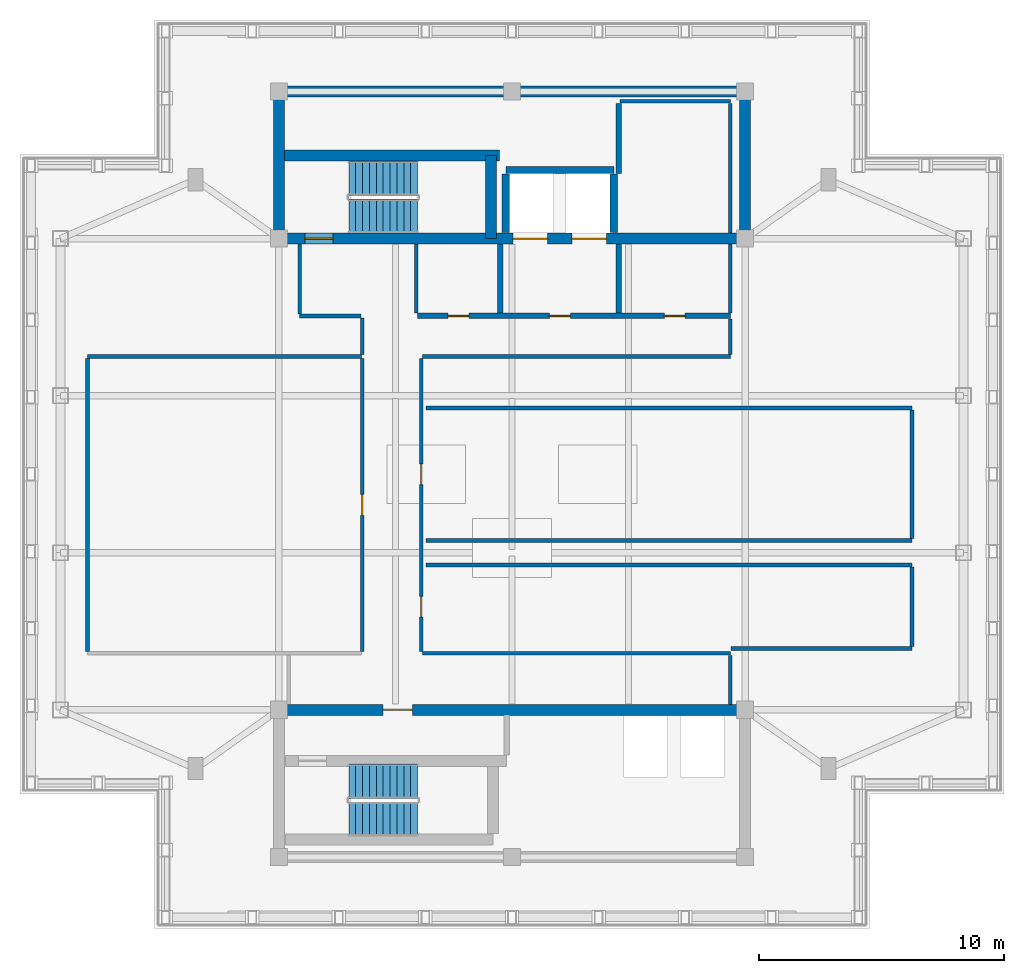
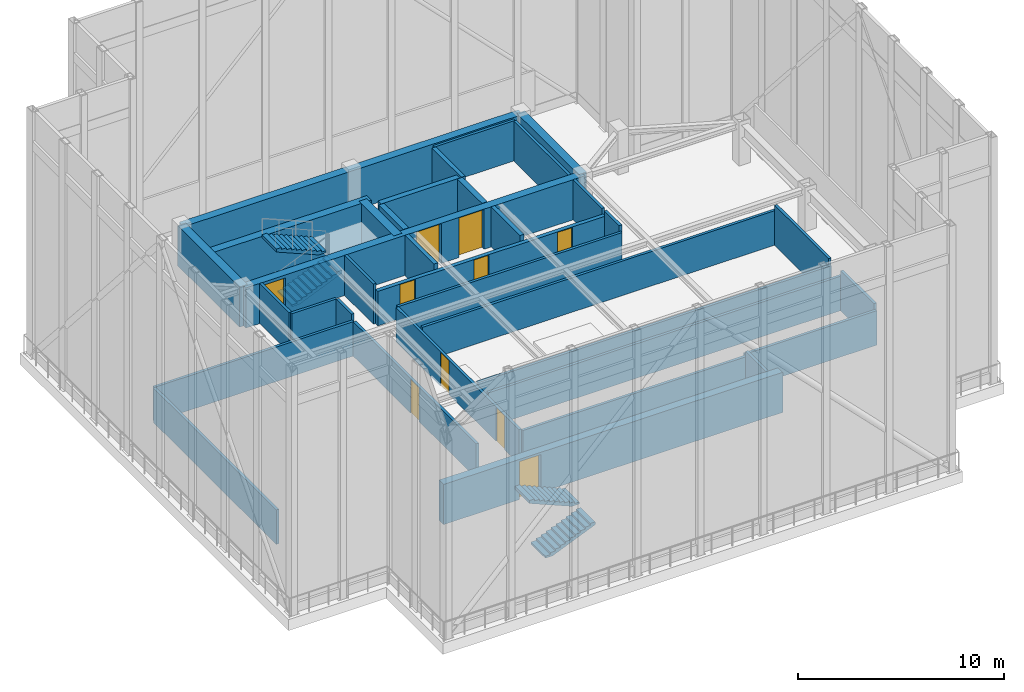
# One storey, part 4 of 8: 35 walls, 10 doors, 4 stair flights, 10 openings, 2 elements without a shape of their own.
"""IFC4 building model written with IfcOpenShell, lengths in metres."""

from ifc_helpers import new_model, si_unit, direction, frame, frame_2d, origin, place, context, subcontext, project, spatial, polyline, rectangle, outline, extrude, material, layer, layer_set, type_object, element, fill, aggregate, save


model = new_model("IFC4")

# Units and contexts
model_context = context("Model", 3, precision=1e-05, world=origin(), true_north=direction((0.0, 1.0)))
body_context = subcontext(model_context, "Body", "Model", "MODEL_VIEW")
ifc_project = project(units=[si_unit("LENGTHUNIT", "METRE"), si_unit("AREAUNIT", "SQUARE_METRE"), si_unit("VOLUMEUNIT", "CUBIC_METRE"), si_unit("PLANEANGLEUNIT", "RADIAN"), si_unit("MASSUNIT", "GRAM", prefix="KILO")], contexts=[model_context])

# Site, building, storey
site_placement = place(None, origin())
site = spatial("IfcSite", under=ifc_project, at=site_placement, CompositionType="ELEMENT")
building_placement = place(site_placement, origin())
building = spatial("IfcBuilding", under=site, at=building_placement, Name="Mirazonda Arch Towers", CompositionType="ELEMENT")
storey_placement = place(building_placement, frame((0.0, 0.0, 263.5)))
storey = spatial("IfcBuildingStorey", under=building, at=storey_placement, Name="L75", CompositionType="ELEMENT", Elevation=263.5)

# Walls
ifc_material_1 = material(Name="Concrete C50/60", Category="concrete")
ifc_layer_1 = layer(ifc_material_1, 0.449951171875, Name="WALL-CORE-450")
ifc_layer_set_1 = layer_set([ifc_layer_1], Name="Concrete C50/60")
wall_type_1 = type_object("IfcWallType", Name="WALL-CORE-450", PredefinedType="SHEAR", material=ifc_layer_set_1)
wall_1_placement = place(storey_placement, frame((11.0, 43.60009765625, 0.0), z_axis=(0.0, 0.0, 1.0), x_axis=(1.0, 0.0, 0.0)))
element("IfcWall", 1, at=wall_1_placement, inside=storey, type_object=wall_type_1, Name="L75 T1N-N Core Shear Wall", PredefinedType="SHEAR", context=body_context, shape_type="SweptSolid", body=[
    extrude(rectangle(XDim=19.0, YDim=0.449951171875, at=frame_2d((9.5, 0.0))), origin(), (0.0, 0.0, 1.0), 2.3798828125),
])
for number, where, z_axis, x_axis, name in (
    (2, (11.0, 37.60009765625, 0.0), (0.0, 0.0, 1.0), (0.0, 1.0, 0.0), "L75 T1N-W Core Shear Wall"),
    (3, (30.0, 37.60009765625, 0.0), (0.0, 0.0, 1.0), (0.0, 1.0, 0.0), "L75 T1N-E Core Shear Wall"),
):
    element("IfcWall", number, at=place(storey_placement, frame(where, z_axis=z_axis, x_axis=x_axis)), inside=storey, type_object=wall_type_1, Name=name, PredefinedType="SHEAR", context=body_context, shape_type="SweptSolid", body=[
        extrude(rectangle(XDim=6.0, YDim=0.449951171875, at=frame_2d((3.0, 0.0))), origin(), (0.0, 0.0, 1.0), 2.3798828125),
    ])

# Wall, openings, doors
wall_2_placement = place(storey_placement, frame((11.0, 37.60009765625, 0.0), z_axis=(0.0, 0.0, 1.0), x_axis=(1.0, 0.0, 0.0)))
wall_2 = element("IfcWall", 4, at=wall_2_placement, inside=storey, type_object=wall_type_1, Name="L75 T1N-S Core Shear Wall", PredefinedType="SHEAR", context=body_context, shape_type="SweptSolid", body=[
    extrude(rectangle(XDim=19.0, YDim=0.449951171875, at=frame_2d((9.5, 0.0))), origin(), (0.0, 0.0, 1.0), 2.3798828125),
])
opening_1_placement = place(wall_2_placement, frame((1.06005859375, 0.0, 0.0)))
opening_1 = element("IfcOpeningElement", 5, at=opening_1_placement, cuts=wall_2, Name="Opening DR-135", PredefinedType="OPENING", context=body_context, shape_type="SweptSolid", body=[
    extrude(rectangle(XDim=1.14990234375, YDim=2.199951171875, at=frame_2d((0.574951171875, 1.10009765625))), frame((0.0, 0.23486328125, 0.0), z_axis=(0.0, -1.0, 0.0), x_axis=(1.0, 0.0, 0.0)), (0.0, 0.0, 1.0), 0.469970703125),
])
opening_2_placement = place(wall_2_placement, frame((9.550048828125, 0.0, 0.0)))
opening_2 = element("IfcOpeningElement", 6, at=opening_2_placement, cuts=wall_2, Name="Opening LD-112", PredefinedType="OPENING", context=body_context, shape_type="SweptSolid", body=[
    extrude(rectangle(XDim=1.39990234375, YDim=2.35009765625, at=frame_2d((0.699951171875, 1.175048828125))), frame((0.0, 0.23486328125, 0.0), z_axis=(0.0, -1.0, 0.0), x_axis=(1.0, 0.0, 0.0)), (0.0, 0.0, 1.0), 0.469970703125),
])
opening_3_placement = place(wall_2_placement, frame((11.949951171875, 0.0, 0.0)))
opening_3 = element("IfcOpeningElement", 7, at=opening_3_placement, cuts=wall_2, Name="Opening LD-112", PredefinedType="OPENING", context=body_context, shape_type="SweptSolid", body=[
    extrude(rectangle(XDim=1.39990234375, YDim=2.35009765625, at=frame_2d((0.699951171875, 1.175048828125))), frame((0.0, 0.23486328125, 0.0), z_axis=(0.0, -1.0, 0.0), x_axis=(1.0, 0.0, 0.0)), (0.0, 0.0, 1.0), 0.469970703125),
])
ifc_material_2 = material(Name="Architectural Brushed Steel S355", Category="steel")
door_type_1 = type_object("IfcDoorType", Name="DOOR-LIFT-FFL-1400", OperationType="NOTDEFINED", PredefinedType="DOOR", material=ifc_material_2)
door_1_placement = place(opening_2_placement, origin())
door_1 = element("IfcDoor", 8, at=door_1_placement, inside=storey, type_object=door_type_1, Name="L75 Lift Landing Sliding Door FFL-T1", OperationType="DOUBLE_DOOR_SLIDING", OverallHeight=2.35009765625, OverallWidth=1.39990234375, PredefinedType="DOOR", context=body_context, shape_type="SweptSolid", body=[
    extrude(rectangle(XDim=1.39990234375, YDim=2.35009765625, at=frame_2d((0.699951171875, 1.175048828125))), frame((0.0, 0.02490234375, 0.0), z_axis=(0.0, -1.0, 0.0), x_axis=(1.0, 0.0, 0.0)), (0.0, 0.0, 1.0), 0.050048828125),
])
fill(opening_2, door_1)
door_2_placement = place(opening_3_placement, origin())
door_2 = element("IfcDoor", 9, at=door_2_placement, inside=storey, type_object=door_type_1, Name="L75 Lift Landing Sliding Door SVL-T1", OperationType="DOUBLE_DOOR_SLIDING", OverallHeight=2.35009765625, OverallWidth=1.39990234375, PredefinedType="DOOR", context=body_context, shape_type="SweptSolid", body=[
    extrude(rectangle(XDim=1.39990234375, YDim=2.35009765625, at=frame_2d((0.699951171875, 1.175048828125))), frame((0.0, 0.02490234375, 0.0), z_axis=(0.0, -1.0, 0.0), x_axis=(1.0, 0.0, 0.0)), (0.0, 0.0, 1.0), 0.050048828125),
])
fill(opening_3, door_2)
door_type_2 = type_object("IfcDoorType", Name="DOOR-STAIR-FD90-1150", OperationType="NOTDEFINED", PredefinedType="DOOR", material=ifc_material_2)
door_3_placement = place(opening_1_placement, origin())
door_3 = element("IfcDoor", 10, at=door_3_placement, inside=storey, type_object=door_type_2, Name="L75 Protected Exit Stair North Door", OperationType="SINGLE_SWING_RIGHT", OverallHeight=2.199951171875, OverallWidth=1.14990234375, PredefinedType="DOOR", context=body_context, shape_type="SweptSolid", body=[
    extrude(rectangle(XDim=1.14990234375, YDim=2.199951171875, at=frame_2d((0.574951171875, 1.10009765625))), frame((0.0, 0.02490234375, 0.0), z_axis=(0.0, -1.0, 0.0), x_axis=(1.0, 0.0, 0.0)), (0.0, 0.0, 1.0), 0.050048828125),
])
fill(opening_1, door_3)

# Walls
wall_3_placement = place(storey_placement, frame((11.0, 40.992919921875, 0.0), z_axis=(0.0, 0.0, 1.0), x_axis=(1.0, 0.0, 0.0)))
element("IfcWall", 11, at=wall_3_placement, inside=storey, type_object=wall_type_1, Name="L75 T1N-STN Core Shear Wall", PredefinedType="SHEAR", context=body_context, shape_type="SweptSolid", body=[
    extrude(rectangle(XDim=9.0, YDim=0.449951171875, at=frame_2d((4.5, 0.0))), origin(), (0.0, 0.0, 1.0), 2.3798828125),
])
wall_4_placement = place(storey_placement, frame((19.64990234375, 37.60009765625, 0.0), z_axis=(0.0, 0.0, 1.0), x_axis=(0.0, 1.0, 0.0)))
element("IfcWall", 12, at=wall_4_placement, inside=storey, type_object=wall_type_1, Name="L75 T1N-STE Core Shear Wall", PredefinedType="SHEAR", context=body_context, shape_type="SweptSolid", body=[
    extrude(rectangle(XDim=3.392822265625, YDim=0.449951171875, at=frame_2d((1.6962890625, 0.0))), origin(), (0.0, 0.0, 1.0), 2.3798828125),
])

# Wall, opening, door
wall_5_placement = place(storey_placement, frame((11.0, 18.39990234375, 0.0), z_axis=(0.0, 0.0, 1.0), x_axis=(1.0, 0.0, 0.0)))
wall_5 = element("IfcWall", 13, at=wall_5_placement, inside=storey, type_object=wall_type_1, Name="L75 T1S-N Core Shear Wall", PredefinedType="SHEAR", context=body_context, shape_type="SweptSolid", body=[
    extrude(rectangle(XDim=19.0, YDim=0.449951171875, at=frame_2d((9.5, 0.0))), origin(), (0.0, 0.0, 1.0), 2.3798828125),
])
opening_4_placement = place(wall_5_placement, frame((4.239990234375, 0.0, 0.0)))
opening_4 = element("IfcOpeningElement", 14, at=opening_4_placement, cuts=wall_5, Name="Opening DR-117", PredefinedType="OPENING", context=body_context, shape_type="SweptSolid", body=[
    extrude(rectangle(XDim=1.199951171875, YDim=2.25, at=frame_2d((0.60009765625, 1.125))), frame((0.0, 0.23486328125, 0.0), z_axis=(0.0, -1.0, 0.0), x_axis=(1.0, 0.0, 0.0)), (0.0, 0.0, 1.0), 0.469970703125),
])
door_type_3 = type_object("IfcDoorType", Name="DOOR-FFL-FD90-1200", OperationType="NOTDEFINED", PredefinedType="DOOR", material=ifc_material_2)
door_4_placement = place(opening_4_placement, origin())
door_4 = element("IfcDoor", 15, at=door_4_placement, inside=storey, type_object=door_type_3, Name="L75 South Core Stair & Lift Lobby Door", OperationType="SINGLE_SWING_RIGHT", OverallHeight=2.25, OverallWidth=1.199951171875, PredefinedType="DOOR", context=body_context, shape_type="SweptSolid", body=[
    extrude(rectangle(XDim=1.199951171875, YDim=2.25, at=frame_2d((0.60009765625, 1.125))), frame((0.0, 0.02490234375, 0.0), z_axis=(0.0, -1.0, 0.0), x_axis=(1.0, 0.0, 0.0)), (0.0, 0.0, 1.0), 0.050048828125),
])
fill(opening_4, door_4)

# Wall, openings, doors
ifc_material_3 = material(Name="Concrete C40/50", Category="concrete")
ifc_layer_2 = layer(ifc_material_3, 0.219970703125, Name="WALL-FFL-220")
ifc_layer_set_2 = layer_set([ifc_layer_2], Name="Concrete C40/50")
wall_type_2 = type_object("IfcWallType", Name="WALL-FFL-220", PredefinedType="SOLIDWALL", material=ifc_layer_set_2)
wall_6_placement = place(storey_placement, frame((16.639892578125, 34.449951171875, 0.0), z_axis=(0.0, 0.0, 1.0), x_axis=(1.0, 0.0, 0.0)))
wall_6 = element("IfcWall", 16, at=wall_6_placement, inside=storey, type_object=wall_type_2, Name="L75 Interior Partition 012", PredefinedType="SOLIDWALL", context=body_context, shape_type="SweptSolid", body=[
    extrude(rectangle(XDim=12.760009765625, YDim=0.219970703125, at=frame_2d((6.3798828125, 0.0))), origin(), (0.0, 0.0, 1.0), 2.0419921875),
])
opening_5_placement = place(wall_6_placement, frame((5.385009765625, 0.0, 0.0)))
opening_5 = element("IfcOpeningElement", 17, at=opening_5_placement, cuts=wall_6, Name="Opening DR-128", PredefinedType="OPENING", context=body_context, shape_type="SweptSolid", body=[
    extrude(rectangle(XDim=0.85009765625, YDim=2.010009765625, at=frame_2d((0.425048828125, 1.0048828125))), frame((0.0, 0.119873046875, 0.0), z_axis=(0.0, -1.0, 0.0), x_axis=(1.0, 0.0, 0.0)), (0.0, 0.0, 1.0), 0.239990234375),
])
opening_6_placement = place(wall_6_placement, frame((10.06494140625, 0.0, 0.0)))
opening_6 = element("IfcOpeningElement", 18, at=opening_6_placement, cuts=wall_6, Name="Opening DR-128", PredefinedType="OPENING", context=body_context, shape_type="SweptSolid", body=[
    extrude(rectangle(XDim=0.85009765625, YDim=2.010009765625, at=frame_2d((0.425048828125, 1.0048828125))), frame((0.0, 0.119873046875, 0.0), z_axis=(0.0, -1.0, 0.0), x_axis=(1.0, 0.0, 0.0)), (0.0, 0.0, 1.0), 0.239990234375),
])
opening_7_placement = place(wall_6_placement, frame((1.25, 0.0, 0.0)))
opening_7 = element("IfcOpeningElement", 19, at=opening_7_placement, cuts=wall_6, Name="Opening DR-128", PredefinedType="OPENING", context=body_context, shape_type="SweptSolid", body=[
    extrude(rectangle(XDim=0.85009765625, YDim=2.010009765625, at=frame_2d((0.425048828125, 1.0048828125))), frame((0.0, 0.119873046875, 0.0), z_axis=(0.0, -1.0, 0.0), x_axis=(1.0, 0.0, 0.0)), (0.0, 0.0, 1.0), 0.239990234375),
])
door_type_4 = type_object("IfcDoorType", Name="DOOR-RISER-FD60-850", OperationType="NOTDEFINED", PredefinedType="DOOR", material=ifc_material_2)
door_5_placement = place(opening_5_placement, origin())
door_5 = element("IfcDoor", 20, at=door_5_placement, inside=storey, type_object=door_type_4, Name="L75 Firefighting Lift Lobby Door", OperationType="SINGLE_SWING_LEFT", OverallHeight=2.010009765625, OverallWidth=0.85009765625, PredefinedType="DOOR", context=body_context, shape_type="SweptSolid", body=[
    extrude(rectangle(XDim=0.85009765625, YDim=2.010009765625, at=frame_2d((0.425048828125, 1.0048828125))), frame((0.0, 0.02490234375, 0.0), z_axis=(0.0, -1.0, 0.0), x_axis=(1.0, 0.0, 0.0)), (0.0, 0.0, 1.0), 0.050048828125),
])
fill(opening_5, door_5)
door_6_placement = place(opening_6_placement, origin())
door_6 = element("IfcDoor", 21, at=door_6_placement, inside=storey, type_object=door_type_4, Name="L75 Mechanical Exhaust & Riser Plant Room Door", OperationType="SINGLE_SWING_RIGHT", OverallHeight=2.010009765625, OverallWidth=0.85009765625, PredefinedType="DOOR", context=body_context, shape_type="SweptSolid", body=[
    extrude(rectangle(XDim=0.85009765625, YDim=2.010009765625, at=frame_2d((0.425048828125, 1.0048828125))), frame((0.0, 0.02490234375, 0.0), z_axis=(0.0, -1.0, 0.0), x_axis=(1.0, 0.0, 0.0)), (0.0, 0.0, 1.0), 0.050048828125),
])
fill(opening_6, door_6)
door_7_placement = place(opening_7_placement, origin())
door_7 = element("IfcDoor", 22, at=door_7_placement, inside=storey, type_object=door_type_4, Name="L75 Electrical & Housekeeping Service Room Door", OperationType="SINGLE_SWING_LEFT", OverallHeight=2.010009765625, OverallWidth=0.85009765625, PredefinedType="DOOR", context=body_context, shape_type="SweptSolid", body=[
    extrude(rectangle(XDim=0.85009765625, YDim=2.010009765625, at=frame_2d((0.425048828125, 1.0048828125))), frame((0.0, 0.02490234375, 0.0), z_axis=(0.0, -1.0, 0.0), x_axis=(1.0, 0.0, 0.0)), (0.0, 0.0, 1.0), 0.050048828125),
])
fill(opening_7, door_7)

# Walls
for number, where, z_axis, x_axis, name in (
    (23, (20.02490234375, 34.570068359375, 0.0), (0.0, 0.0, 1.0), (0.0, 1.0, 0.0), "L75 Interior Partition 023"),
    (24, (24.85009765625, 34.570068359375, 0.0), (0.0, 0.0, 1.0), (0.0, 1.0, 0.0), "L75 Interior Partition 027"),
):
    element("IfcWall", number, at=place(storey_placement, frame(where, z_axis=z_axis, x_axis=x_axis)), inside=storey, type_object=wall_type_2, Name=name, PredefinedType="SOLIDWALL", context=body_context, shape_type="SweptSolid", body=[
        extrude(rectangle(XDim=2.809814453125, YDim=0.219970703125, at=frame_2d((1.40478515625, 0.0))), origin(), (0.0, 0.0, 1.0), 2.3798828125),
    ])
wall_7_placement = place(storey_placement, frame((24.85009765625, 40.260009765625, 0.0), z_axis=(0.0, 0.0, 1.0), x_axis=(0.0, 1.0, 0.0)))
element("IfcWall", 25, at=wall_7_placement, inside=storey, type_object=wall_type_2, Name="L75 Interior Partition 028", PredefinedType="SOLIDWALL", context=body_context, shape_type="SweptSolid", body=[
    extrude(rectangle(XDim=2.85498046875, YDim=0.219970703125, at=frame_2d((1.427490234375, 0.0))), origin(), (0.0, 0.0, 1.0), 2.3798828125),
])
ifc_material_4 = material(Name="Fire-Rated Gypsum Stud Partition")
ifc_layer_3 = layer(ifc_material_4, 0.14990234375, Name="WALL-PART-CORR-150")
ifc_layer_set_3 = layer_set([ifc_layer_3], Name="Fire-Rated Gypsum Stud Partition")
wall_type_3 = type_object("IfcWallType", Name="WALL-PART-CORR-150", PredefinedType="PARTITIONING", material=ifc_layer_set_3)
wall_8_placement = place(storey_placement, frame((16.85009765625, 20.699951171875, 0.0), z_axis=(0.0, 0.0, 1.0), x_axis=(1.0, 0.0, 0.0)))
element("IfcWall", 26, at=wall_8_placement, inside=storey, type_object=wall_type_3, Name="L75 Interior Partition 004", PredefinedType="PARTITIONING", context=body_context, shape_type="SweptSolid", body=[
    extrude(rectangle(XDim=12.5498046875, YDim=0.14990234375, at=frame_2d((6.27490234375, 0.0))), origin(), (0.0, 0.0, 1.0), 2.0419921875),
])
wall_9_placement = place(storey_placement, frame((29.419921875, 20.89990234375, 0.0), z_axis=(0.0, 0.0, 1.0), x_axis=(1.0, 0.0, 0.0)))
element("IfcWall", 27, at=wall_9_placement, inside=storey, type_object=wall_type_3, Name="L75 Interior Partition 005", PredefinedType="PARTITIONING", context=body_context, shape_type="SweptSolid", body=[
    extrude(rectangle(XDim=7.380126953125, YDim=0.14990234375, at=frame_2d((3.68994140625, 0.0))), origin(), (0.0, 0.0, 1.0), 2.0419921875),
])
for number, where, z_axis, x_axis, name in (
    (28, (17.0, 24.300048828125, 0.0), (0.0, 0.0, 1.0), (1.0, 0.0, 0.0), "L75 Interior Partition 006"),
    (29, (17.0, 25.300048828125, 0.0), (0.0, 0.0, 1.0), (1.0, 0.0, 0.0), "L75 Interior Partition 007"),
    (30, (17.0, 30.699951171875, 0.0), (0.0, 0.0, 1.0), (1.0, 0.0, 0.0), "L75 Interior Partition 008"),
):
    element("IfcWall", number, at=place(storey_placement, frame(where, z_axis=z_axis, x_axis=x_axis)), inside=storey, type_object=wall_type_3, Name=name, PredefinedType="PARTITIONING", context=body_context, shape_type="SweptSolid", body=[
        extrude(rectangle(XDim=19.800048828125, YDim=0.14990234375, at=frame_2d((9.89990234375, 0.0))), origin(), (0.0, 0.0, 1.0), 2.0419921875),
    ])
wall_10_placement = place(storey_placement, frame((3.199951171875, 32.800048828125, 0.0), z_axis=(0.0, 0.0, 1.0), x_axis=(1.0, 0.0, 0.0)))
element("IfcWall", 31, at=wall_10_placement, inside=storey, type_object=wall_type_3, Name="L75 Interior Partition 009", PredefinedType="PARTITIONING", context=body_context, shape_type="SweptSolid", body=[
    extrude(rectangle(XDim=11.16015625, YDim=0.14990234375, at=frame_2d((5.580078125, 0.0))), origin(), (0.0, 0.0, 1.0), 2.0419921875),
])
wall_11_placement = place(storey_placement, frame((16.85009765625, 32.800048828125, 0.0), z_axis=(0.0, 0.0, 1.0), x_axis=(1.0, 0.0, 0.0)))
element("IfcWall", 32, at=wall_11_placement, inside=storey, type_object=wall_type_3, Name="L75 Interior Partition 010", PredefinedType="PARTITIONING", context=body_context, shape_type="SweptSolid", body=[
    extrude(rectangle(XDim=12.5498046875, YDim=0.14990234375, at=frame_2d((6.27490234375, 0.0))), origin(), (0.0, 0.0, 1.0), 2.0419921875),
])
wall_12_placement = place(storey_placement, frame((11.85009765625, 34.449951171875, 0.0), z_axis=(0.0, 0.0, 1.0), x_axis=(1.0, 0.0, 0.0)))
element("IfcWall", 33, at=wall_12_placement, inside=storey, type_object=wall_type_3, Name="L75 Interior Partition 011", PredefinedType="PARTITIONING", context=body_context, shape_type="SweptSolid", body=[
    extrude(rectangle(XDim=2.5, YDim=0.14990234375, at=frame_2d((1.25, 0.0))), origin(), (0.0, 0.0, 1.0), 2.3798828125),
])
wall_13_placement = place(storey_placement, frame((24.89990234375, 43.199951171875, 0.0), z_axis=(0.0, 0.0, 1.0), x_axis=(1.0, 0.0, 0.0)))
element("IfcWall", 34, at=wall_13_placement, inside=storey, type_object=wall_type_3, Name="L75 Interior Partition 014", PredefinedType="PARTITIONING", context=body_context, shape_type="SweptSolid", body=[
    extrude(rectangle(XDim=4.5, YDim=0.14990234375, at=frame_2d((2.25, 0.0))), origin(), (0.0, 0.0, 1.0), 2.3798828125),
])
wall_14_placement = place(storey_placement, frame((3.199951171875, 20.784912109375, 0.0), z_axis=(0.0, 0.0, 1.0), x_axis=(0.0, 1.0, 0.0)))
element("IfcWall", 35, at=wall_14_placement, inside=storey, type_object=wall_type_3, Name="L75 Interior Partition 015", PredefinedType="PARTITIONING", context=body_context, shape_type="SweptSolid", body=[
    extrude(rectangle(XDim=11.93017578125, YDim=0.14990234375, at=frame_2d((5.965087890625, 0.0))), origin(), (0.0, 0.0, 1.0), 2.0419921875),
])
wall_15_placement = place(storey_placement, frame((11.85009765625, 34.534912109375, 0.0), z_axis=(0.0, 0.0, 1.0), x_axis=(0.0, 1.0, 0.0)))
element("IfcWall", 36, at=wall_15_placement, inside=storey, type_object=wall_type_3, Name="L75 Interior Partition 017", PredefinedType="PARTITIONING", context=body_context, shape_type="SweptSolid", body=[
    extrude(rectangle(XDim=2.844970703125, YDim=0.14990234375, at=frame_2d((1.42236328125, 0.0))), origin(), (0.0, 0.0, 1.0), 2.3798828125),
])

# Wall, opening, door
wall_16_placement = place(storey_placement, frame((14.39990234375, 20.784912109375, 0.0), z_axis=(0.0, 0.0, 1.0), x_axis=(0.0, 1.0, 0.0)))
wall_16 = element("IfcWall", 37, at=wall_16_placement, inside=storey, type_object=wall_type_3, Name="L75 Interior Partition 018", PredefinedType="PARTITIONING", context=body_context, shape_type="SweptSolid", body=[
    extrude(rectangle(XDim=11.93017578125, YDim=0.14990234375, at=frame_2d((5.965087890625, 0.0))), origin(), (0.0, 0.0, 1.0), 2.0419921875),
])
opening_8_placement = place(wall_16_placement, frame((5.5400390625, 0.0, 0.0)))
opening_8 = element("IfcOpeningElement", 38, at=opening_8_placement, cuts=wall_16, Name="Opening DR-128", PredefinedType="OPENING", context=body_context, shape_type="SweptSolid", body=[
    extrude(rectangle(XDim=0.85009765625, YDim=2.010009765625, at=frame_2d((0.425048828125, 1.0048828125))), frame((0.0, 0.0849609375, 0.0), z_axis=(0.0, -1.0, 0.0), x_axis=(1.0, 0.0, 0.0)), (0.0, 0.0, 1.0), 0.169921875),
])
door_8_placement = place(opening_8_placement, origin())
door_8 = element("IfcDoor", 39, at=door_8_placement, inside=storey, type_object=door_type_4, Name="L75 L75 West Crown Mechanical Plant Plenum Door", OperationType="SINGLE_SWING_RIGHT", OverallHeight=2.010009765625, OverallWidth=0.85009765625, PredefinedType="DOOR", context=body_context, shape_type="SweptSolid", body=[
    extrude(rectangle(XDim=0.85009765625, YDim=2.010009765625, at=frame_2d((0.425048828125, 1.0048828125))), frame((0.0, 0.02490234375, 0.0), z_axis=(0.0, -1.0, 0.0), x_axis=(1.0, 0.0, 0.0)), (0.0, 0.0, 1.0), 0.050048828125),
])
fill(opening_8, door_8)

# Walls
wall_17_placement = place(storey_placement, frame((14.39990234375, 32.885009765625, 0.0), z_axis=(0.0, 0.0, 1.0), x_axis=(0.0, 1.0, 0.0)))
element("IfcWall", 40, at=wall_17_placement, inside=storey, type_object=wall_type_3, Name="L75 Interior Partition 019", PredefinedType="PARTITIONING", context=body_context, shape_type="SweptSolid", body=[
    extrude(rectangle(XDim=1.47998046875, YDim=0.14990234375, at=frame_2d((0.739990234375, 0.0))), origin(), (0.0, 0.0, 1.0), 2.3798828125),
])
wall_18_placement = place(storey_placement, frame((16.60009765625, 34.570068359375, 0.0), z_axis=(0.0, 0.0, 1.0), x_axis=(0.0, 1.0, 0.0)))
element("IfcWall", 41, at=wall_18_placement, inside=storey, type_object=wall_type_3, Name="L75 Interior Partition 020", PredefinedType="PARTITIONING", context=body_context, shape_type="SweptSolid", body=[
    extrude(rectangle(XDim=2.809814453125, YDim=0.14990234375, at=frame_2d((1.40478515625, 0.0))), origin(), (0.0, 0.0, 1.0), 2.3798828125),
])

# Wall, openings, doors
wall_19_placement = place(storey_placement, frame((16.800048828125, 20.784912109375, 0.0), z_axis=(0.0, 0.0, 1.0), x_axis=(0.0, 1.0, 0.0)))
wall_19 = element("IfcWall", 42, at=wall_19_placement, inside=storey, type_object=wall_type_3, Name="L75 Interior Partition 021", PredefinedType="PARTITIONING", context=body_context, shape_type="SweptSolid", body=[
    extrude(rectangle(XDim=11.93017578125, YDim=0.14990234375, at=frame_2d((5.965087890625, 0.0))), origin(), (0.0, 0.0, 1.0), 2.0419921875),
])
opening_9_placement = place(wall_19_placement, frame((6.7900390625, 0.0, 0.0)))
opening_9 = element("IfcOpeningElement", 43, at=opening_9_placement, cuts=wall_19, Name="Opening DR-128", PredefinedType="OPENING", context=body_context, shape_type="SweptSolid", body=[
    extrude(rectangle(XDim=0.85009765625, YDim=2.010009765625, at=frame_2d((0.425048828125, 1.0048828125))), frame((0.0, 0.0849609375, 0.0), z_axis=(0.0, -1.0, 0.0), x_axis=(1.0, 0.0, 0.0)), (0.0, 0.0, 1.0), 0.169921875),
])
opening_10_placement = place(wall_19_placement, frame((1.389892578125, 0.0, 0.0)))
opening_10 = element("IfcOpeningElement", 44, at=opening_10_placement, cuts=wall_19, Name="Opening DR-128", PredefinedType="OPENING", context=body_context, shape_type="SweptSolid", body=[
    extrude(rectangle(XDim=0.85009765625, YDim=2.010009765625, at=frame_2d((0.425048828125, 1.0048828125))), frame((0.0, 0.0849609375, 0.0), z_axis=(0.0, -1.0, 0.0), x_axis=(1.0, 0.0, 0.0)), (0.0, 0.0, 1.0), 0.169921875),
])
door_9_placement = place(opening_9_placement, origin())
door_9 = element("IfcDoor", 45, at=door_9_placement, inside=storey, type_object=door_type_4, Name="L75 L75 Tuned Mass Damper Mechanical Plant Hall Door", OperationType="SINGLE_SWING_RIGHT", OverallHeight=2.010009765625, OverallWidth=0.85009765625, PredefinedType="DOOR", context=body_context, shape_type="SweptSolid", body=[
    extrude(rectangle(XDim=0.85009765625, YDim=2.010009765625, at=frame_2d((0.425048828125, 1.0048828125))), frame((0.0, 0.02490234375, 0.0), z_axis=(0.0, -1.0, 0.0), x_axis=(1.0, 0.0, 0.0)), (0.0, 0.0, 1.0), 0.050048828125),
])
fill(opening_9, door_9)
door_10_placement = place(opening_10_placement, origin())
door_10 = element("IfcDoor", 46, at=door_10_placement, inside=storey, type_object=door_type_4, Name="L75 L75 High-Rise Lift Machine Plant Room Door", OperationType="SINGLE_SWING_LEFT", OverallHeight=2.010009765625, OverallWidth=0.85009765625, PredefinedType="DOOR", context=body_context, shape_type="SweptSolid", body=[
    extrude(rectangle(XDim=0.85009765625, YDim=2.010009765625, at=frame_2d((0.425048828125, 1.0048828125))), frame((0.0, 0.02490234375, 0.0), z_axis=(0.0, -1.0, 0.0), x_axis=(1.0, 0.0, 0.0)), (0.0, 0.0, 1.0), 0.050048828125),
])
fill(opening_10, door_10)

# Walls
wall_20_placement = place(storey_placement, frame((29.39990234375, 18.6201171875, 0.0), z_axis=(0.0, 0.0, 1.0), x_axis=(0.0, 1.0, 0.0)))
element("IfcWall", 47, at=wall_20_placement, inside=storey, type_object=wall_type_3, Name="L75 Interior Partition 029", PredefinedType="PARTITIONING", context=body_context, shape_type="SweptSolid", body=[
    extrude(rectangle(XDim=1.994873046875, YDim=0.14990234375, at=frame_2d((0.99755859375, 0.0))), origin(), (0.0, 0.0, 1.0), 2.3798828125),
])
wall_21_placement = place(storey_placement, frame((29.39990234375, 32.885009765625, 0.0), z_axis=(0.0, 0.0, 1.0), x_axis=(0.0, 1.0, 0.0)))
element("IfcWall", 48, at=wall_21_placement, inside=storey, type_object=wall_type_3, Name="L75 Interior Partition 030", PredefinedType="PARTITIONING", context=body_context, shape_type="SweptSolid", body=[
    extrude(rectangle(XDim=1.445068359375, YDim=0.14990234375, at=frame_2d((0.72265625, 0.0))), origin(), (0.0, 0.0, 1.0), 2.3798828125),
])
wall_22_placement = place(storey_placement, frame((29.39990234375, 34.570068359375, 0.0), z_axis=(0.0, 0.0, 1.0), x_axis=(0.0, 1.0, 0.0)))
element("IfcWall", 49, at=wall_22_placement, inside=storey, type_object=wall_type_3, Name="L75 Interior Partition 031", PredefinedType="PARTITIONING", context=body_context, shape_type="SweptSolid", body=[
    extrude(rectangle(XDim=2.809814453125, YDim=0.14990234375, at=frame_2d((1.40478515625, 0.0))), origin(), (0.0, 0.0, 1.0), 2.3798828125),
])
wall_23_placement = place(storey_placement, frame((29.39990234375, 37.820068359375, 0.0), z_axis=(0.0, 0.0, 1.0), x_axis=(0.0, 1.0, 0.0)))
element("IfcWall", 50, at=wall_23_placement, inside=storey, type_object=wall_type_3, Name="L75 Interior Partition 032", PredefinedType="PARTITIONING", context=body_context, shape_type="SweptSolid", body=[
    extrude(rectangle(XDim=5.294921875, YDim=0.14990234375, at=frame_2d((2.6474609375, 0.0))), origin(), (0.0, 0.0, 1.0), 2.3798828125),
])
wall_24_placement = place(storey_placement, frame((36.800048828125, 20.985107421875, 0.0), z_axis=(0.0, 0.0, 1.0), x_axis=(0.0, 1.0, 0.0)))
element("IfcWall", 51, at=wall_24_placement, inside=storey, type_object=wall_type_3, Name="L75 Interior Partition 033", PredefinedType="PARTITIONING", context=body_context, shape_type="SweptSolid", body=[
    extrude(rectangle(XDim=3.22998046875, YDim=0.14990234375, at=frame_2d((1.614990234375, 0.0))), origin(), (0.0, 0.0, 1.0), 2.3798828125),
])
wall_25_placement = place(storey_placement, frame((36.800048828125, 25.385009765625, 0.0), z_axis=(0.0, 0.0, 1.0), x_axis=(0.0, 1.0, 0.0)))
element("IfcWall", 52, at=wall_25_placement, inside=storey, type_object=wall_type_3, Name="L75 Interior Partition 034", PredefinedType="PARTITIONING", context=body_context, shape_type="SweptSolid", body=[
    extrude(rectangle(XDim=5.22998046875, YDim=0.14990234375, at=frame_2d((2.614990234375, 0.0))), origin(), (0.0, 0.0, 1.0), 2.3798828125),
])
ifc_layer_4 = layer(ifc_material_1, 0.300048828125, Name="WALL-SHAFT-300")
ifc_layer_set_4 = layer_set([ifc_layer_4], Name="Concrete C50/60")
wall_type_4 = type_object("IfcWallType", Name="WALL-SHAFT-300", PredefinedType="SOLIDWALL", material=ifc_layer_set_4)
wall_26_placement = place(storey_placement, frame((20.25, 40.39990234375, 0.0), z_axis=(0.0, 0.0, 1.0), x_axis=(1.0, 0.0, 0.0)))
element("IfcWall", 53, at=wall_26_placement, inside=storey, type_object=wall_type_4, Name="L75 Interior Partition 013", PredefinedType="SOLIDWALL", context=body_context, shape_type="SweptSolid", body=[
    extrude(rectangle(XDim=4.39990234375, YDim=0.300048828125, at=frame_2d((2.199951171875, 0.0))), origin(), (0.0, 0.0, 1.0), 2.3798828125),
])
for number, where, z_axis, x_axis, name in (
    (54, (20.25, 37.85009765625, 0.0), (0.0, 0.0, 1.0), (0.0, 1.0, 0.0), "L75 Interior Partition 025"),
    (55, (24.64990234375, 37.85009765625, 0.0), (0.0, 0.0, 1.0), (0.0, 1.0, 0.0), "L75 Interior Partition 026"),
):
    element("IfcWall", number, at=place(storey_placement, frame(where, z_axis=z_axis, x_axis=x_axis)), inside=storey, type_object=wall_type_4, Name=name, PredefinedType="SOLIDWALL", context=body_context, shape_type="SweptSolid", body=[
        extrude(rectangle(XDim=2.389892578125, YDim=0.300048828125, at=frame_2d((1.19482421875, 0.0))), origin(), (0.0, 0.0, 1.0), 2.3798828125),
    ])

# Stair, stair flights
stair_type = type_object("IfcStairType", Name="STAIR-CORE-1400", PredefinedType="HALF_TURN_STAIR", material=ifc_material_3)
stair_1_placement = place(storey_placement, origin())
stair_1 = element("IfcStair", 56, at=stair_1_placement, inside=storey, type_object=stair_type, Name="L75 Protected Exit Stair ST-T1N", PredefinedType="HALF_TURN_STAIR")
stair_flight_type = type_object("IfcStairFlightType", Name="FLIGHT-1400", PredefinedType="STRAIGHT", material=ifc_material_3)
stair_flight_1_placement = place(storey_placement, frame((13.85009765625, 38.52001953125, 0.0), z_axis=(0.0, 0.0, 1.0), x_axis=(1.0, 0.0, 0.0)))
stair_flight_1 = element("IfcStairFlight", 57, at=stair_flight_1_placement, type_object=stair_flight_type, Name="ST-T1N flight 1", NumberOfRisers=11, NumberOfTreads=10, PredefinedType="STRAIGHT", RiserHeight=0.118181818, TreadLength=0.28, context=body_context, shape_type="SweptSolid", body=[
    extrude(outline(polyline([(0.0, 0.0), (0.0, 0.1181640625), (0.280029296875, 0.1181640625), (0.280029296875, 0.236328125), (0.56005859375, 0.236328125), (0.56005859375, 0.3544921875), (0.840087890625, 0.3544921875), (0.840087890625, 0.47265625), (1.1201171875, 0.47265625), (1.1201171875, 0.5908203125), (1.39990234375, 0.5908203125), (1.39990234375, 0.708984375), (1.679931640625, 0.708984375), (1.679931640625, 0.827392578125), (1.9599609375, 0.827392578125), (1.9599609375, 0.945556640625), (2.239990234375, 0.945556640625), (2.239990234375, 1.063720703125), (2.52001953125, 1.063720703125), (2.52001953125, 1.181884765625), (2.800048828125, 1.181884765625), (2.800048828125, 1.300048828125), (2.800048828125, 1.00830078125), (0.4111328125, 0.0), (0.0, 0.0)])), frame((0.0, 0.699951171875, 0.0), z_axis=(0.0, -1.0, 0.0), x_axis=(1.0, 0.0, 0.0)), (0.0, 0.0, 1.0), 1.39990234375),
])
stair_flight_2_placement = place(storey_placement, frame((16.64990234375, 40.06005859375, 1.300048828125), z_axis=(0.0, 0.0, 1.0), x_axis=(-1.0, 0.0, 0.0)))
stair_flight_2 = element("IfcStairFlight", 58, at=stair_flight_2_placement, type_object=stair_flight_type, Name="ST-T1N flight 2", NumberOfRisers=11, NumberOfTreads=10, PredefinedType="STRAIGHT", RiserHeight=0.118181818, TreadLength=0.28, context=body_context, shape_type="SweptSolid", body=[
    extrude(outline(polyline([(0.0, 0.0), (0.0, 0.1181640625), (0.280029296875, 0.1181640625), (0.280029296875, 0.236328125), (0.56005859375, 0.236328125), (0.56005859375, 0.3544921875), (0.840087890625, 0.3544921875), (0.840087890625, 0.47265625), (1.1201171875, 0.47265625), (1.1201171875, 0.5908203125), (1.39990234375, 0.5908203125), (1.39990234375, 0.708984375), (1.679931640625, 0.708984375), (1.679931640625, 0.827392578125), (1.9599609375, 0.827392578125), (1.9599609375, 0.945556640625), (2.239990234375, 0.945556640625), (2.239990234375, 1.063720703125), (2.52001953125, 1.063720703125), (2.52001953125, 1.181884765625), (2.800048828125, 1.181884765625), (2.800048828125, 1.300048828125), (2.800048828125, 1.00830078125), (0.4111328125, 0.0), (0.0, 0.0)])), frame((0.0, 0.699951171875, 0.0), z_axis=(0.0, -1.0, 0.0), x_axis=(1.0, 0.0, 0.0)), (0.0, 0.0, 1.0), 1.39990234375),
])
aggregate(stair_1, [stair_flight_1, stair_flight_2])

stair_2_placement = place(storey_placement, origin())
stair_2 = element("IfcStair", 59, at=stair_2_placement, inside=storey, type_object=stair_type, Name="L75 Protected Exit Stair ST-T1S", PredefinedType="HALF_TURN_STAIR")
stair_flight_3_placement = place(storey_placement, frame((13.85009765625, 13.949951171875, 0.0), z_axis=(0.0, 0.0, 1.0), x_axis=(1.0, 0.0, 0.0)))
stair_flight_3 = element("IfcStairFlight", 60, at=stair_flight_3_placement, type_object=stair_flight_type, Name="ST-T1S flight 1", NumberOfRisers=11, NumberOfTreads=10, PredefinedType="STRAIGHT", RiserHeight=0.118181818, TreadLength=0.28, context=body_context, shape_type="SweptSolid", body=[
    extrude(outline(polyline([(0.0, 0.0), (0.0, 0.1181640625), (0.280029296875, 0.1181640625), (0.280029296875, 0.236328125), (0.56005859375, 0.236328125), (0.56005859375, 0.3544921875), (0.840087890625, 0.3544921875), (0.840087890625, 0.47265625), (1.1201171875, 0.47265625), (1.1201171875, 0.5908203125), (1.39990234375, 0.5908203125), (1.39990234375, 0.708984375), (1.679931640625, 0.708984375), (1.679931640625, 0.827392578125), (1.9599609375, 0.827392578125), (1.9599609375, 0.945556640625), (2.239990234375, 0.945556640625), (2.239990234375, 1.063720703125), (2.52001953125, 1.063720703125), (2.52001953125, 1.181884765625), (2.800048828125, 1.181884765625), (2.800048828125, 1.300048828125), (2.800048828125, 1.00830078125), (0.4111328125, 0.0), (0.0, 0.0)])), frame((0.0, 0.699951171875, 0.0), z_axis=(0.0, -1.0, 0.0), x_axis=(1.0, 0.0, 0.0)), (0.0, 0.0, 1.0), 1.39990234375),
])
stair_flight_4_placement = place(storey_placement, frame((16.64990234375, 15.489990234375, 1.300048828125), z_axis=(0.0, 0.0, 1.0), x_axis=(-1.0, 0.0, 0.0)))
stair_flight_4 = element("IfcStairFlight", 61, at=stair_flight_4_placement, type_object=stair_flight_type, Name="ST-T1S flight 2", NumberOfRisers=11, NumberOfTreads=10, PredefinedType="STRAIGHT", RiserHeight=0.118181818, TreadLength=0.28, context=body_context, shape_type="SweptSolid", body=[
    extrude(outline(polyline([(0.0, 0.0), (0.0, 0.1181640625), (0.280029296875, 0.1181640625), (0.280029296875, 0.236328125), (0.56005859375, 0.236328125), (0.56005859375, 0.3544921875), (0.840087890625, 0.3544921875), (0.840087890625, 0.47265625), (1.1201171875, 0.47265625), (1.1201171875, 0.5908203125), (1.39990234375, 0.5908203125), (1.39990234375, 0.708984375), (1.679931640625, 0.708984375), (1.679931640625, 0.827392578125), (1.9599609375, 0.827392578125), (1.9599609375, 0.945556640625), (2.239990234375, 0.945556640625), (2.239990234375, 1.063720703125), (2.52001953125, 1.063720703125), (2.52001953125, 1.181884765625), (2.800048828125, 1.181884765625), (2.800048828125, 1.300048828125), (2.800048828125, 1.00830078125), (0.4111328125, 0.0), (0.0, 0.0)])), frame((0.0, 0.699951171875, 0.0), z_axis=(0.0, -1.0, 0.0), x_axis=(1.0, 0.0, 0.0)), (0.0, 0.0, 1.0), 1.39990234375),
])
aggregate(stair_2, [stair_flight_3, stair_flight_4])

save(model, "model.ifc")
